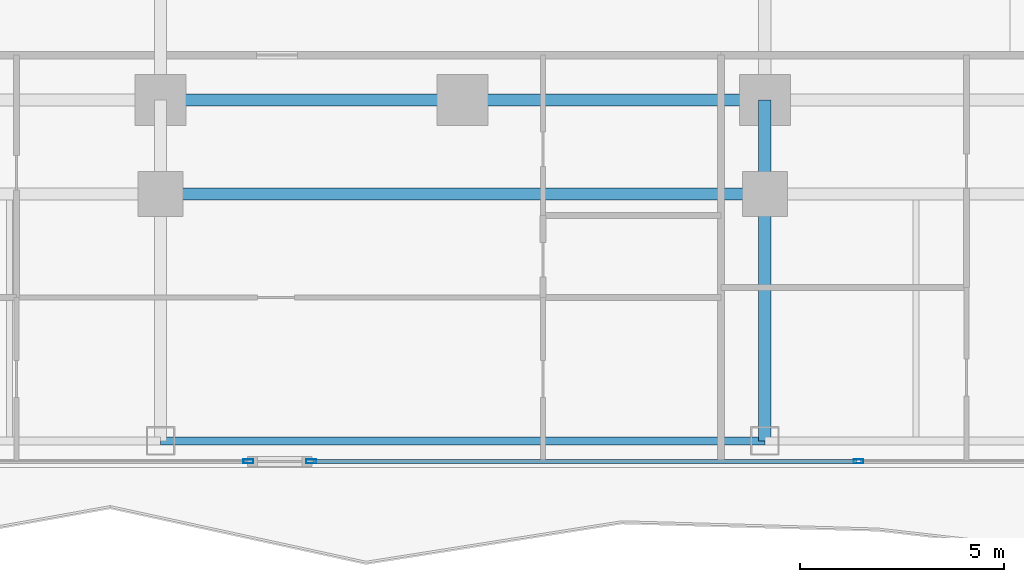
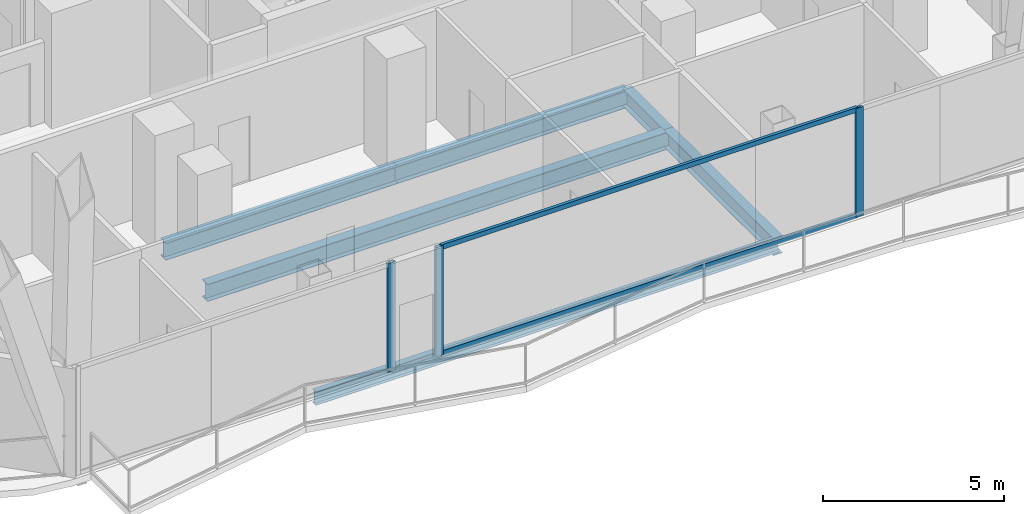
# One storey, part 5 of 32: 6 beams, 5 members, 2 elements without a shape of their own.
"""IFC4 building model written with IfcOpenShell, lengths in metres."""

import ifcopenshell
import ifcopenshell.guid

model = None  # the IFC model being written
_history = None  # IfcOwnerHistory: only IFC2X3 demands one
_inside = {}  # id of a spatial element -> (the spatial element, [elements in it])
_under = {}  # id of a project, library or spatial element -> (it, [spatial elements below it])
_declared = {}  # id of a project -> (the project, [libraries it declares])
_typed = {}  # id of a type object -> (the type object, [elements of that type])
_made_of = {}  # id of a material, layer set ... -> (it, [elements and type objects made of it])


def new_model(schema):
    """Start an empty IFC model of exactly this schema.

    Asked for "IFC4X3", IfcOpenShell would pick the latest addendum, in which some entities
    have other attributes; the version numbers below select the first issue.
    IFC2X3 requires an IfcOwnerHistory on every rooted entity: one is made here for all.
    """
    global model, _history
    if schema == "IFC4X3":
        model = ifcopenshell.file(schema_version=(4, 3, 0, 0))
    else:
        model = ifcopenshell.file(schema=schema)
    _inside.clear()
    _under.clear()
    _declared.clear()
    _typed.clear()
    _made_of.clear()
    _history = None
    if model.schema == "IFC2X3":
        org = make("IfcOrganization", Name="unknown")
        user = make(
            "IfcPersonAndOrganization",
            ThePerson=make("IfcPerson", FamilyName="unknown"),
            TheOrganization=org,
        )
        app = make(
            "IfcApplication",
            ApplicationDeveloper=org,
            Version="unknown",
            ApplicationFullName="unknown",
            ApplicationIdentifier="unknown",
        )
        _history = make(
            "IfcOwnerHistory",
            OwningUser=user,
            OwningApplication=app,
            ChangeAction="ADDED",
            CreationDate=0,
        )
    return model


def make(cls, **values):
    """One entity of the class cls with the attributes given. An attribute that is None is left unset."""
    return model.create_entity(
        cls, **{name: value for name, value in values.items() if value is not None}
    )


def rooted(cls, **values):
    """An entity with a GlobalId (a new one), such as an element, a storey or a relation."""
    return make(cls, GlobalId=ifcopenshell.guid.new(), OwnerHistory=_history, **values)


def si_unit(unit_type, name, prefix=None):
    """IfcSIUnit, for example si_unit("LENGTHUNIT", "METRE", prefix="MILLI")."""
    return make("IfcSIUnit", UnitType=unit_type, Prefix=prefix, Name=name)


def assignment(units):
    """IfcUnitAssignment: the units of a project."""
    return None if units is None else make("IfcUnitAssignment", Units=units)


def point(xyz):
    """IfcCartesianPoint."""
    return None if xyz is None else make("IfcCartesianPoint", Coordinates=xyz)


def direction(xyz):
    """IfcDirection."""
    return None if xyz is None else make("IfcDirection", DirectionRatios=xyz)


def frame(location, z_axis=None, x_axis=None):
    """IfcAxis2Placement3D, a coordinate frame: its origin and axes. An axis left out is left unset."""
    return make(
        "IfcAxis2Placement3D",
        Location=point(location),
        Axis=direction(z_axis),
        RefDirection=direction(x_axis),
    )


def frame_2d(location, x_axis=None):
    """IfcAxis2Placement2D, a coordinate frame in the plane: its origin and x axis."""
    return make(
        "IfcAxis2Placement2D", Location=point(location), RefDirection=direction(x_axis)
    )


def origin():
    """The frame at (0, 0, 0) with its axes left unset."""
    return frame((0.0, 0.0, 0.0))


def origin_2d():
    """The frame at (0, 0) in the plane with its x axis left unset."""
    return frame_2d((0.0, 0.0))


def place(relative_to, where):
    """IfcLocalPlacement: puts the frame where relative to a parent placement (None: the world)."""
    return make(
        "IfcLocalPlacement", PlacementRelTo=relative_to, RelativePlacement=where
    )


def context(
    kind, dimensions, precision=None, world=None, true_north=None, identifier=None
):
    """IfcGeometricRepresentationContext, for example the 3D "Model" context."""
    return make(
        "IfcGeometricRepresentationContext",
        ContextIdentifier=identifier,
        ContextType=kind,
        CoordinateSpaceDimension=dimensions,
        Precision=precision,
        WorldCoordinateSystem=world,
        TrueNorth=true_north,
    )


def subcontext(parent, identifier, kind, view, scale=None):
    """IfcGeometricRepresentationSubContext, for example "Body" below "Model"."""
    return make(
        "IfcGeometricRepresentationSubContext",
        ContextIdentifier=identifier,
        ContextType=kind,
        ParentContext=parent,
        TargetScale=scale,
        TargetView=view,
    )


def project(units=None, contexts=None):
    """IfcProject with its units and contexts."""
    return rooted(
        "IfcProject",
        Name="project",
        RepresentationContexts=contexts,
        UnitsInContext=assignment(units),
    )


def spatial(cls, under=None, at=None, **own):
    """A site, building, storey or space (cls), placed at a placement, below another one or the project."""
    s = rooted(cls, ObjectPlacement=at, **own)
    if under is not None:
        _under.setdefault(under.id(), (under, []))[1].append(s)
    return s


def profile(cls, at=None, kind="AREA", **sizes):
    """A parametric profile (cls). Its sizes go by their IFC names, for example OverallWidth=200.0."""
    return make(cls, ProfileType=kind, Position=at, **sizes)


def hollow_rectangle(**sizes):
    """IfcRectangleHollowProfileDef."""
    return profile("IfcRectangleHollowProfileDef", **sizes)


def i_section(**sizes):
    """IfcIShapeProfileDef."""
    return profile("IfcIShapeProfileDef", **sizes)


def extrude(swept, where, along, depth):
    """IfcExtrudedAreaSolid: the profile swept, set in the frame where, extruded along a direction by depth."""
    return make(
        "IfcExtrudedAreaSolid",
        SweptArea=swept,
        Position=where,
        ExtrudedDirection=direction(along),
        Depth=depth,
    )


def shape(context_of_items, identifier, shape_type, items):
    """IfcShapeRepresentation: the items that make up one representation, for example the "Body"."""
    return make(
        "IfcShapeRepresentation",
        ContextOfItems=context_of_items,
        RepresentationIdentifier=identifier,
        RepresentationType=shape_type,
        Items=items,
    )


def material(Name=None, Category=None):
    """IfcMaterial."""
    return make("IfcMaterial", Name=Name, Category=Category)


def layer(
    of_material, thickness, ventilated=None, Name=None, Category=None, Priority=None
):
    """IfcMaterialLayer: one layer of a wall or slab, of a material (None: an air gap)."""
    return make(
        "IfcMaterialLayer",
        Material=of_material,
        LayerThickness=thickness,
        IsVentilated=ventilated,
        Name=Name,
        Category=Category,
        Priority=Priority,
    )


def layer_set(layers, Name=None):
    """IfcMaterialLayerSet."""
    return make("IfcMaterialLayerSet", MaterialLayers=layers, LayerSetName=Name)


def material_profile(
    of_material, cross_section, Name=None, Category=None, Priority=None
):
    """IfcMaterialProfile: a cross section and its material."""
    return make(
        "IfcMaterialProfile",
        Name=Name,
        Material=of_material,
        Profile=cross_section,
        Priority=Priority,
        Category=Category,
    )


def profile_set(profiles, Name=None, composite=None):
    """IfcMaterialProfileSet."""
    return make(
        "IfcMaterialProfileSet",
        Name=Name,
        MaterialProfiles=profiles,
        CompositeProfile=composite,
    )


def made_of(thing, what):
    """Note that an element or type object is made of a material, layer set ...; save() writes the relation."""
    if what is not None:
        _made_of.setdefault(what.id(), (what, []))[1].append(thing)
    return thing


def type_object(cls, material=None, **own):
    """A type object (cls), such as IfcWallType, which elements share."""
    return made_of(rooted(cls, **own), material)


def element(
    cls,
    number,
    at=None,
    inside=None,
    cuts=None,
    type_object=None,
    material=None,
    context=None,
    identifier="Body",
    shape_type=None,
    held_by="IfcProductDefinitionShape",
    body=None,
    shapes=None,
    **own,
):
    """One element of the class cls, such as IfcWall. Its Tag is "e" and its number.

    at: its placement. inside: the storey or other place that contains it. cuts: it is an
    opening in that element (IfcRelVoidsElement). A single representation is given by context,
    identifier, shape_type and body (its items); several are given by shapes. held_by: the class
    of the entity that holds the representations. save() writes the other relations.
    """
    e = rooted(cls, Tag="e%d" % number, ObjectPlacement=at, **own)
    if body is not None:
        shapes = [shape(context, identifier, shape_type, body)]
    if shapes is not None:
        e.Representation = make(held_by, Representations=shapes)
    if inside is not None:
        _inside.setdefault(inside.id(), (inside, []))[1].append(e)
    if cuts is not None:
        rooted(
            "IfcRelVoidsElement", RelatingBuildingElement=cuts, RelatedOpeningElement=e
        )
    if type_object is not None:
        _typed.setdefault(type_object.id(), (type_object, []))[1].append(e)
    return made_of(e, material)


def aggregate(whole, parts):
    """IfcRelAggregates: a whole, such as a stair, and the parts it consists of."""
    return rooted("IfcRelAggregates", RelatingObject=whole, RelatedObjects=parts)


def save(model, path):
    """Write the relations noted so far, then the file.

    IfcRelAggregates (storeys below a building ...), IfcRelContainedInSpatialStructure (elements
    in a storey), IfcRelDefinesByType, IfcRelAssociatesMaterial and IfcRelDeclares: one each for
    every whole, place, type object, material and project.
    """
    for whole, parts in _under.values():
        aggregate(whole, parts)
    for where, things in _inside.values():
        rooted(
            "IfcRelContainedInSpatialStructure",
            RelatedElements=things,
            RelatingStructure=where,
        )
    for kind, things in _typed.values():
        rooted("IfcRelDefinesByType", RelatedObjects=things, RelatingType=kind)
    for what, things in _made_of.values():
        rooted("IfcRelAssociatesMaterial", RelatedObjects=things, RelatingMaterial=what)
    for by, libraries in _declared.values():
        rooted("IfcRelDeclares", RelatingContext=by, RelatedDefinitions=libraries)
    model.write(path)


model = new_model("IFC4")

# Units and contexts
model_context = context("Model", 3, precision=1e-05, world=origin(), true_north=direction((0.0, 1.0)))
body_context = subcontext(model_context, "Body", "Model", "MODEL_VIEW")
ifc_project = project(units=[si_unit("LENGTHUNIT", "METRE"), si_unit("AREAUNIT", "SQUARE_METRE"), si_unit("VOLUMEUNIT", "CUBIC_METRE"), si_unit("PLANEANGLEUNIT", "RADIAN"), si_unit("MASSUNIT", "GRAM", prefix="KILO")], contexts=[model_context])

# Site, building, storey
site_placement = place(None, origin())
site = spatial("IfcSite", under=ifc_project, at=site_placement, CompositionType="ELEMENT")
building_placement = place(site_placement, origin())
building = spatial("IfcBuilding", under=site, at=building_placement, Name="Khorvyn Point Tower", CompositionType="ELEMENT")
storey_placement = place(building_placement, frame((0.0, 0.0, 148.5)))
storey = spatial("IfcBuildingStorey", under=building, at=storey_placement, Name="L37", CompositionType="ELEMENT", Elevation=148.5)

# Curtain wall, members
ifc_material_1 = material(Name="Anodised aluminium 6063-T6 and laminated Low-E glass", Category="aluminium")
ifc_layer = layer(ifc_material_1, 0.18994140625)
ifc_layer_set = layer_set([ifc_layer], Name="Stick-Built Acoustic Curtain Wall CW-SYS-03")
curtain_wall_type = type_object("IfcCurtainWallType", Name="Stick-Built Acoustic Curtain Wall CW-SYS-03", PredefinedType="NOTDEFINED", material=ifc_layer_set)
curtain_wall_1_placement = place(storey_placement, origin())
curtain_wall_1 = element("IfcCurtainWall", 1, at=curtain_wall_1_placement, inside=storey, type_object=curtain_wall_type, Name="Curtain Wall", PredefinedType="NOTDEFINED")
ifc_material_2 = material(Name="Anodised aluminium 6063-T6", Category="aluminium")
ifc_material_profile_1 = material_profile(ifc_material_2, hollow_rectangle(XDim=0.10009765625, YDim=0.239990234375, WallThickness=0.0048828125, at=origin_2d()))
ifc_profile_set_1 = profile_set([ifc_material_profile_1], Name="Anodised aluminium 6063-T6 ALU-MUL-100x240")
member_type_1 = type_object("IfcMemberType", Name="Anodised Aluminium 6063-T6 Mullion ALU-MUL-100x240", PredefinedType="MULLION", material=ifc_profile_set_1)
member_1_placement = place(storey_placement, frame((9.694580078125, -23.64990234375, 0.0), z_axis=(0.0, 0.0, 1.0), x_axis=(0.0, -1.0, 0.0)))
member_1 = element("IfcMember", 2, at=member_1_placement, type_object=member_type_1, Name="Transom", PredefinedType="MULLION", context=body_context, shape_type="SweptSolid", body=[
    extrude(hollow_rectangle(XDim=0.10009765625, YDim=0.239990234375, WallThickness=0.0048828125, at=origin_2d()), origin(), (0.0, 0.0, 1.0), 3.679931640625),
])
member_2_placement = place(storey_placement, frame((-3.7109375, -23.64990234375, 0.0), z_axis=(0.0, 0.0, 1.0), x_axis=(0.0, -1.0, 0.0)))
member_2 = element("IfcMember", 3, at=member_2_placement, type_object=member_type_1, Name="Transom", PredefinedType="MULLION", context=body_context, shape_type="SweptSolid", body=[
    extrude(hollow_rectangle(XDim=0.10009765625, YDim=0.239990234375, WallThickness=0.0048828125, at=origin_2d()), origin(), (0.0, 0.0, 1.0), 3.679931640625),
])

# Curtain wall, member
curtain_wall_2_placement = place(storey_placement, origin())
curtain_wall_2 = element("IfcCurtainWall", 4, at=curtain_wall_2_placement, inside=storey, type_object=curtain_wall_type, Name="Curtain Wall", PredefinedType="NOTDEFINED")
member_3_placement = place(storey_placement, frame((-5.2509765625, -23.64990234375, 0.0), z_axis=(0.0, 0.0, 1.0), x_axis=(0.0, -1.0, 0.0)))
member_3 = element("IfcMember", 5, at=member_3_placement, type_object=member_type_1, Name="Transom", PredefinedType="MULLION", context=body_context, shape_type="SweptSolid", body=[
    extrude(hollow_rectangle(XDim=0.10009765625, YDim=0.239990234375, WallThickness=0.0048828125, at=origin_2d()), origin(), (0.0, 0.0, 1.0), 3.679931640625),
])
aggregate(curtain_wall_2, [member_3])

# Member
ifc_material_profile_2 = material_profile(ifc_material_2, hollow_rectangle(XDim=0.10009765625, YDim=0.159912109375, WallThickness=0.00439453125, at=origin_2d()))
ifc_profile_set_2 = profile_set([ifc_material_profile_2], Name="Anodised aluminium 6063-T6 ALU-TRN-100x160")
member_type_2 = type_object("IfcMemberType", Name="Anodised Aluminium 6063-T6 Transom ALU-TRN-100x160", PredefinedType="USERDEFINED", material=ifc_profile_set_2)
member_4_placement = place(storey_placement, frame((9.64453125, -23.64990234375, 0.050048828125), z_axis=(-1.0, 0.0, 0.0), x_axis=(0.0, -1.0, 0.0)))
member_4 = element("IfcMember", 6, at=member_4_placement, type_object=member_type_2, Name="Transom", ObjectType="TRANSOM", PredefinedType="USERDEFINED", context=body_context, shape_type="SweptSolid", body=[
    extrude(hollow_rectangle(XDim=0.10009765625, YDim=0.159912109375, WallThickness=0.00439453125, at=origin_2d()), origin(), (0.0, 0.0, 1.0), 13.305419921875),
])

member_5_placement = place(storey_placement, frame((9.64453125, -23.64990234375, 3.6298828125), z_axis=(-1.0, 0.0, 0.0), x_axis=(0.0, -1.0, 0.0)))
member_5 = element("IfcMember", 7, at=member_5_placement, type_object=member_type_2, Name="Transom", ObjectType="TRANSOM", PredefinedType="USERDEFINED", context=body_context, shape_type="SweptSolid", body=[
    extrude(hollow_rectangle(XDim=0.10009765625, YDim=0.159912109375, WallThickness=0.00439453125, at=origin_2d()), origin(), (0.0, 0.0, 1.0), 13.305419921875),
])

aggregate(curtain_wall_1, [member_1, member_2, member_4, member_5])

# Beams
ifc_material_3 = material(Name="Steel S355", Category="steel")
ifc_material_profile_3 = material_profile(ifc_material_3, i_section(OverallWidth=0.300048828125, OverallDepth=0.587890625, WebThickness=0.011962890625, FlangeThickness=0.02001953125, at=origin_2d()))
ifc_profile_set_3 = profile_set([ifc_material_profile_3], Name="Steel S355 H588x300x12x20")
beam_type_1 = type_object("IfcBeamType", Name="Steel S355 Beam H588x300x12x20", PredefinedType="BEAM", material=ifc_profile_set_3)
for number, where, z_axis, x_axis, name in (
    (8, (-7.39990234375, -14.800048828125, -0.513916015625), (1.0, 0.0, 0.0), (0.0, 1.0, 0.0), "Beam"),
    (9, (0.0, -14.800048828125, -0.513916015625), (1.0, 0.0, 0.0), (0.0, 1.0, 0.0), "Beam"),
):
    element("IfcBeam", number, at=place(storey_placement, frame(where, z_axis=z_axis, x_axis=x_axis)), inside=storey, type_object=beam_type_1, Name=name, PredefinedType="BEAM", context=body_context, shape_type="SweptSolid", body=[
        extrude(i_section(OverallWidth=0.300048828125, OverallDepth=0.587890625, WebThickness=0.011962890625, FlangeThickness=0.02001953125, at=origin_2d()), origin(), (0.0, 0.0, 1.0), 7.39990234375),
    ])
beam_1_placement = place(storey_placement, frame((-7.39990234375, -17.10009765625, -0.513916015625), z_axis=(1.0, 0.0, 0.0), x_axis=(0.0, 1.0, 0.0)))
element("IfcBeam", 10, at=beam_1_placement, inside=storey, type_object=beam_type_1, Name="Beam", PredefinedType="BEAM", context=body_context, shape_type="SweptSolid", body=[
    extrude(i_section(OverallWidth=0.300048828125, OverallDepth=0.587890625, WebThickness=0.011962890625, FlangeThickness=0.02001953125, at=origin_2d()), origin(), (0.0, 0.0, 1.0), 14.7998046875),
])
beam_2_placement = place(storey_placement, frame((7.39990234375, -23.14990234375, -0.513916015625), z_axis=(0.0, 1.0, 0.0), x_axis=(-1.0, 0.0, 0.0)))
element("IfcBeam", 11, at=beam_2_placement, inside=storey, type_object=beam_type_1, Name="Beam", PredefinedType="BEAM", context=body_context, shape_type="SweptSolid", body=[
    extrude(i_section(OverallWidth=0.300048828125, OverallDepth=0.587890625, WebThickness=0.011962890625, FlangeThickness=0.02001953125, at=origin_2d()), origin(), (0.0, 0.0, 1.0), 6.0498046875),
])
beam_3_placement = place(storey_placement, frame((7.39990234375, -17.10009765625, -0.513916015625), z_axis=(0.0, 1.0, 0.0), x_axis=(-1.0, 0.0, 0.0)))
element("IfcBeam", 12, at=beam_3_placement, inside=storey, type_object=beam_type_1, Name="Beam", PredefinedType="BEAM", context=body_context, shape_type="SweptSolid", body=[
    extrude(i_section(OverallWidth=0.300048828125, OverallDepth=0.587890625, WebThickness=0.011962890625, FlangeThickness=0.02001953125, at=origin_2d()), origin(), (0.0, 0.0, 1.0), 2.300048828125),
])
ifc_material_profile_4 = material_profile(ifc_material_3, i_section(OverallWidth=0.199951171875, OverallDepth=0.449951171875, WebThickness=0.009033203125, FlangeThickness=0.013916015625, at=origin_2d()))
ifc_profile_set_4 = profile_set([ifc_material_profile_4], Name="Steel S355 H450x200x9x14")
beam_type_2 = type_object("IfcBeamType", Name="Steel S355 Spandrel H450x200x9x14", PredefinedType="SPANDREL", material=ifc_profile_set_4)
beam_4_placement = place(storey_placement, frame((-7.39990234375, -23.14990234375, -0.445068359375), z_axis=(1.0, 0.0, 0.0), x_axis=(0.0, 1.0, 0.0)))
element("IfcBeam", 13, at=beam_4_placement, inside=storey, type_object=beam_type_2, Name="Beam", PredefinedType="SPANDREL", context=body_context, shape_type="SweptSolid", body=[
    extrude(i_section(OverallWidth=0.199951171875, OverallDepth=0.449951171875, WebThickness=0.009033203125, FlangeThickness=0.013916015625, at=origin_2d()), origin(), (0.0, 0.0, 1.0), 14.7998046875),
])

save(model, "model.ifc")
